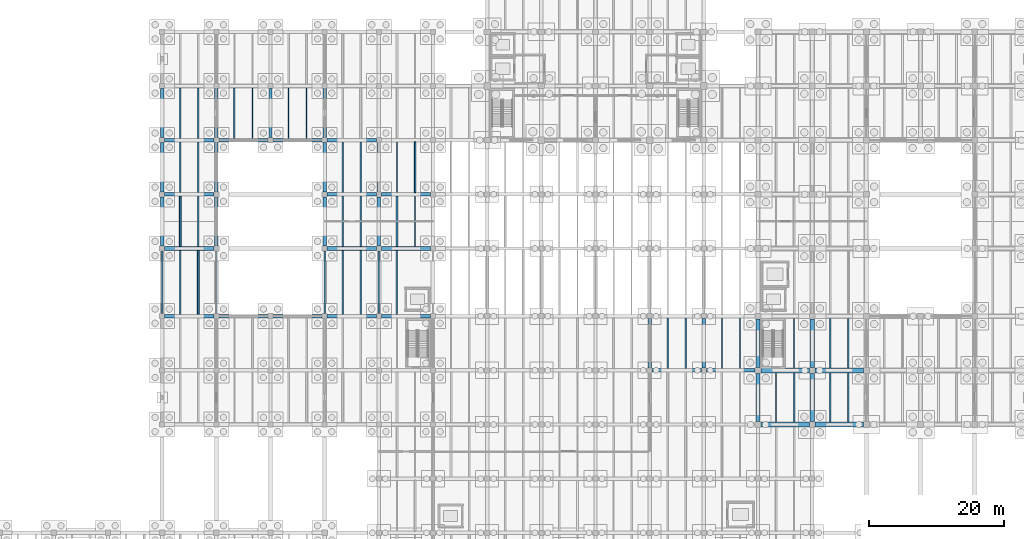
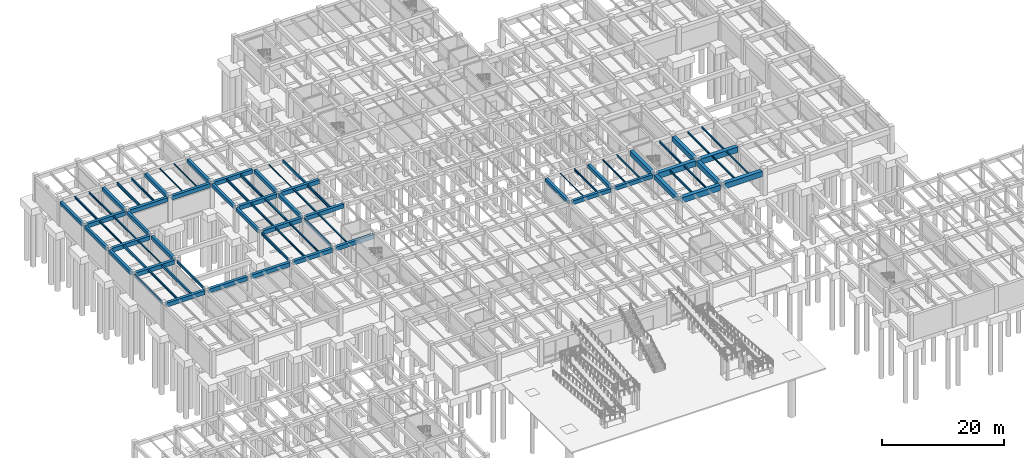
# One storey, part 16 of 44: 77 beams.
"""IFC4 building model written with IfcOpenShell, lengths in metres."""

from ifc_helpers import new_model, si_unit, direction, frame, origin, origin_2d, place, context, subcontext, project, spatial, rectangle, i_section, extrude, material, material_profile, profile_set, type_object, element, save


model = new_model("IFC4")

# Units and contexts
model_context = context("Model", 3, precision=1e-05, world=origin(), true_north=direction((0.0, 1.0)))
body_context = subcontext(model_context, "Body", "Model", "MODEL_VIEW")
ifc_project = project(units=[si_unit("LENGTHUNIT", "METRE"), si_unit("AREAUNIT", "SQUARE_METRE"), si_unit("VOLUMEUNIT", "CUBIC_METRE"), si_unit("PLANEANGLEUNIT", "RADIAN"), si_unit("MASSUNIT", "GRAM", prefix="KILO")], contexts=[model_context])

# Site, building, storey
site_placement = place(None, origin())
site = spatial("IfcSite", under=ifc_project, at=site_placement, CompositionType="ELEMENT")
building_placement = place(site_placement, origin())
building = spatial("IfcBuilding", under=site, at=building_placement, Name="Pecanmere Concourse Central Library", CompositionType="ELEMENT")
storey_placement = place(building_placement, frame((0.0, 0.0, -5.39990234375)))
storey = spatial("IfcBuildingStorey", under=building, at=storey_placement, Name="B1", CompositionType="ELEMENT", Elevation=-5.39990234375)

# Beams
ifc_material_1 = material(Name="Concrete C40/50", Category="concrete")
ifc_material_profile_1 = material_profile(ifc_material_1, rectangle(XDim=0.47998046875, YDim=0.679931640625, at=origin_2d()), Name="RC 480x680")
ifc_profile_set_1 = profile_set([ifc_material_profile_1], Name="Concrete C40/50")
beam_type_1 = type_object("IfcBeamType", Name="GRD_480x680", PredefinedType="USERDEFINED", material=ifc_profile_set_1)
for number, where, z_axis, x_axis, name in (
    (1, (24.0, 74.375, 4.639892578125), (0.0, 1.0, 0.0), (-1.0, 0.0, 0.0), "Primary Girder Y L01-0230"),
    (2, (24.0, 82.375, 4.639892578125), (0.0, 1.0, 0.0), (-1.0, 0.0, 0.0), "Primary Girder Y L01-0231"),
    (3, (24.0, 90.375, 4.639892578125), (0.0, 1.0, 0.0), (-1.0, 0.0, 0.0), "Primary Girder Y L01-0232"),
    (4, (32.0, 74.375, 4.639892578125), (0.0, 1.0, 0.0), (-1.0, 0.0, 0.0), "Primary Girder Y L01-0241"),
    (5, (32.0, 82.375, 4.639892578125), (0.0, 1.0, 0.0), (-1.0, 0.0, 0.0), "Primary Girder Y L01-0242"),
    (6, (32.0, 90.375, 4.639892578125), (0.0, 1.0, 0.0), (-1.0, 0.0, 0.0), "Primary Girder Y L01-0243"),
    (7, (40.0, 90.375, 4.639892578125), (0.0, 1.0, 0.0), (-1.0, 0.0, 0.0), "Primary Girder Y L01-0251"),
    (8, (48.0, 74.375, 4.639892578125), (0.0, 1.0, 0.0), (-1.0, 0.0, 0.0), "Primary Girder Y L01-0260"),
    (9, (48.0, 82.375, 4.639892578125), (0.0, 1.0, 0.0), (-1.0, 0.0, 0.0), "Primary Girder Y L01-0261"),
    (10, (48.0, 90.375, 4.639892578125), (0.0, 1.0, 0.0), (-1.0, 0.0, 0.0), "Primary Girder Y L01-0262"),
    (11, (56.0, 74.375, 4.639892578125), (0.0, 1.0, 0.0), (-1.0, 0.0, 0.0), "Primary Girder Y L01-0270"),
    (12, (56.0, 82.375, 4.639892578125), (0.0, 1.0, 0.0), (-1.0, 0.0, 0.0), "Primary Girder Y L01-0271"),
    (13, (96.0, 56.375, 4.639892578125), (0.0, 1.0, 0.0), (-1.0, 0.0, 0.0), "Primary Girder Y L01-0324"),
    (14, (104.0, 56.375, 4.639892578125), (0.0, 1.0, 0.0), (-1.0, 0.0, 0.0), "Primary Girder Y L01-0336"),
):
    element("IfcBeam", number, at=place(storey_placement, frame(where, z_axis=z_axis, x_axis=x_axis)), inside=storey, type_object=beam_type_1, Name=name, ObjectType="GIRDER", PredefinedType="USERDEFINED", context=body_context, shape_type="SweptSolid", body=[
        extrude(rectangle(XDim=0.47998046875, YDim=0.679931640625, at=origin_2d()), origin(), (0.0, 0.0, 1.0), 7.25),
    ])
ifc_material_2 = material(Name="Concrete C40/50", Category="concrete")
ifc_material_profile_2 = material_profile(ifc_material_2, rectangle(XDim=0.5, YDim=0.739990234375, at=origin_2d()), Name="RC 500x740")
ifc_profile_set_2 = profile_set([ifc_material_profile_2], Name="Concrete C40/50")
beam_type_2 = type_object("IfcBeamType", Name="GRD_500x740", PredefinedType="USERDEFINED", material=ifc_profile_set_2)
beam_1_placement = place(storey_placement, frame((96.375, 56.0, 4.60986328125), z_axis=(1.0, 0.0, 0.0), x_axis=(0.0, 1.0, 0.0)))
element("IfcBeam", 15, at=beam_1_placement, inside=storey, type_object=beam_type_2, Name="Primary Girder X L01-0110", ObjectType="GIRDER", PredefinedType="USERDEFINED", context=body_context, shape_type="SweptSolid", body=[
    extrude(rectangle(XDim=0.5, YDim=0.739990234375, at=origin_2d()), origin(), (0.0, 0.0, 1.0), 7.25),
])
beam_2_placement = place(storey_placement, frame((104.375, 56.0, 4.60986328125), z_axis=(1.0, 0.0, 0.0), x_axis=(0.0, 1.0, 0.0)))
element("IfcBeam", 16, at=beam_2_placement, inside=storey, type_object=beam_type_2, Name="Primary Girder X L01-0111", ObjectType="GIRDER", PredefinedType="USERDEFINED", context=body_context, shape_type="SweptSolid", body=[
    extrude(rectangle(XDim=0.5, YDim=0.739990234375, at=origin_2d()), origin(), (0.0, 0.0, 1.0), 7.195068359375),
])
ifc_material_3 = material(Name="Concrete C40/50", Category="concrete")
ifc_material_profile_3 = material_profile(ifc_material_3, rectangle(XDim=0.5400390625, YDim=0.800048828125, at=origin_2d()), Name="RC 540x800")
ifc_profile_set_3 = profile_set([ifc_material_profile_3], Name="Concrete C40/50")
beam_type_3 = type_object("IfcBeamType", Name="GRD_540x800", PredefinedType="USERDEFINED", material=ifc_profile_set_3)
for number, where, z_axis, x_axis, name in (
    (17, (24.375, 64.0, 4.579833984375), (1.0, 0.0, 0.0), (0.0, 1.0, 0.0), "Primary Girder X L01-0117"),
    (18, (32.375, 64.0, 4.579833984375), (1.0, 0.0, 0.0), (0.0, 1.0, 0.0), "Primary Girder X L01-0118"),
    (19, (40.375, 64.0, 4.579833984375), (1.0, 0.0, 0.0), (0.0, 1.0, 0.0), "Primary Girder X L01-0119"),
    (20, (48.375, 64.0, 4.579833984375), (1.0, 0.0, 0.0), (0.0, 1.0, 0.0), "Primary Girder X L01-0120"),
    (21, (56.375, 64.0, 4.579833984375), (1.0, 0.0, 0.0), (0.0, 1.0, 0.0), "Primary Girder X L01-0121"),
    (22, (24.375, 74.0, 4.579833984375), (1.0, 0.0, 0.0), (0.0, 1.0, 0.0), "Primary Girder X L01-0133"),
    (23, (48.375, 74.0, 4.579833984375), (1.0, 0.0, 0.0), (0.0, 1.0, 0.0), "Primary Girder X L01-0134"),
    (24, (56.375, 74.0, 4.579833984375), (1.0, 0.0, 0.0), (0.0, 1.0, 0.0), "Primary Girder X L01-0135"),
    (25, (24.375, 82.0, 4.579833984375), (1.0, 0.0, 0.0), (0.0, 1.0, 0.0), "Primary Girder X L01-0145"),
    (26, (48.375, 82.0, 4.579833984375), (1.0, 0.0, 0.0), (0.0, 1.0, 0.0), "Primary Girder X L01-0146"),
    (27, (56.375, 82.0, 4.579833984375), (1.0, 0.0, 0.0), (0.0, 1.0, 0.0), "Primary Girder X L01-0147"),
    (28, (24.375, 90.0, 4.579833984375), (1.0, 0.0, 0.0), (0.0, 1.0, 0.0), "Primary Girder X L01-0157"),
    (29, (32.375, 90.0, 4.579833984375), (1.0, 0.0, 0.0), (0.0, 1.0, 0.0), "Primary Girder X L01-0158"),
    (30, (40.375, 90.0, 4.579833984375), (1.0, 0.0, 0.0), (0.0, 1.0, 0.0), "Primary Girder X L01-0159"),
    (31, (48.375, 90.0, 4.579833984375), (1.0, 0.0, 0.0), (0.0, 1.0, 0.0), "Primary Girder X L01-0160"),
):
    element("IfcBeam", number, at=place(storey_placement, frame(where, z_axis=z_axis, x_axis=x_axis)), inside=storey, type_object=beam_type_3, Name=name, ObjectType="GIRDER", PredefinedType="USERDEFINED", context=body_context, shape_type="SweptSolid", body=[
        extrude(rectangle(XDim=0.5400390625, YDim=0.800048828125, at=origin_2d()), origin(), (0.0, 0.0, 1.0), 7.25),
    ])
ifc_material_4 = material(Name="Concrete C40/50", Category="concrete")
ifc_material_profile_4 = material_profile(ifc_material_4, rectangle(XDim=0.639892578125, YDim=0.949951171875, at=origin_2d()), Name="RC 640x950")
ifc_profile_set_4 = profile_set([ifc_material_profile_4], Name="Concrete C40/50")
beam_type_4 = type_object("IfcBeamType", Name="GRD_640x950", PredefinedType="USERDEFINED", material=ifc_profile_set_4)
for number, where, z_axis, x_axis, name in (
    (32, (112.0, 48.429931640625, 4.5048828125), (0.0, 1.0, 0.0), (-1.0, 0.0, 0.0), "Primary Girder Y L01-0347"),
    (33, (112.0, 56.429931640625, 4.5048828125), (0.0, 1.0, 0.0), (-1.0, 0.0, 0.0), "Primary Girder Y L01-0348"),
    (34, (120.0, 48.429931640625, 4.5048828125), (0.0, 1.0, 0.0), (-1.0, 0.0, 0.0), "Primary Girder Y L01-0357"),
    (35, (120.0, 56.429931640625, 4.5048828125), (0.0, 1.0, 0.0), (-1.0, 0.0, 0.0), "Primary Girder Y L01-0358"),
):
    element("IfcBeam", number, at=place(storey_placement, frame(where, z_axis=z_axis, x_axis=x_axis)), inside=storey, type_object=beam_type_4, Name=name, ObjectType="GIRDER", PredefinedType="USERDEFINED", context=body_context, shape_type="SweptSolid", body=[
        extrude(rectangle(XDim=0.639892578125, YDim=0.949951171875, at=origin_2d()), origin(), (0.0, 0.0, 1.0), 7.14013671875),
    ])
ifc_material_5 = material(Name="Concrete C40/50", Category="concrete")
ifc_material_profile_5 = material_profile(ifc_material_5, rectangle(XDim=0.719970703125, YDim=1.080078125, at=origin_2d()), Name="RC 720x1080")
ifc_profile_set_5 = profile_set([ifc_material_profile_5], Name="Concrete C40/50")
beam_type_5 = type_object("IfcBeamType", Name="GRD_720x1080", PredefinedType="USERDEFINED", material=ifc_profile_set_5)
for number, where, z_axis, x_axis, name in (
    (36, (112.429931640625, 48.0, 4.43994140625), (1.0, 0.0, 0.0), (0.0, 1.0, 0.0), "Primary Girder X L01-0096"),
    (37, (120.429931640625, 48.0, 4.43994140625), (1.0, 0.0, 0.0), (0.0, 1.0, 0.0), "Primary Girder X L01-0097"),
    (38, (112.429931640625, 56.0, 4.43994140625), (1.0, 0.0, 0.0), (0.0, 1.0, 0.0), "Primary Girder X L01-0112"),
    (39, (120.429931640625, 56.0, 4.43994140625), (1.0, 0.0, 0.0), (0.0, 1.0, 0.0), "Primary Girder X L01-0113"),
):
    element("IfcBeam", number, at=place(storey_placement, frame(where, z_axis=z_axis, x_axis=x_axis)), inside=storey, type_object=beam_type_5, Name=name, ObjectType="GIRDER", PredefinedType="USERDEFINED", context=body_context, shape_type="SweptSolid", body=[
        extrude(rectangle(XDim=0.719970703125, YDim=1.080078125, at=origin_2d()), origin(), (0.0, 0.0, 1.0), 7.14013671875),
    ])
ifc_material_6 = material(Name="Concrete C40/50", Category="concrete")
ifc_material_profile_6 = material_profile(ifc_material_6, rectangle(XDim=0.25, YDim=0.449951171875, at=origin_2d()), Name="RC 250x450")
ifc_profile_set_6 = profile_set([ifc_material_profile_6], Name="Concrete C40/50")
beam_type_6 = type_object("IfcBeamType", Name="JST_RC_250x450", PredefinedType="JOIST", material=ifc_profile_set_6)
beam_3_placement = place(storey_placement, frame((61.333251953125, 82.27001953125, 4.7548828125), z_axis=(0.0, 1.0, 0.0), x_axis=(-1.0, 0.0, 0.0)))
element("IfcBeam", 40, at=beam_3_placement, inside=storey, type_object=beam_type_6, Name="Secondary Floor Joist L01-0521", PredefinedType="JOIST", context=body_context, shape_type="SweptSolid", body=[
    extrude(rectangle(XDim=0.25, YDim=0.449951171875, at=origin_2d()), origin(), (0.0, 0.0, 1.0), 7.4599609375),
])
ifc_material_7 = material(Name="Concrete C40/50", Category="concrete")
ifc_material_profile_7 = material_profile(ifc_material_7, rectangle(XDim=0.260009765625, YDim=0.469970703125, at=origin_2d()), Name="RC 260x470")
ifc_profile_set_7 = profile_set([ifc_material_profile_7], Name="Concrete C40/50")
beam_type_7 = type_object("IfcBeamType", Name="JST_RC_260x470", PredefinedType="JOIST", material=ifc_profile_set_7)
beam_4_placement = place(storey_placement, frame((29.333251953125, 64.27001953125, 4.744873046875), z_axis=(0.0, 1.0, 0.0), x_axis=(-1.0, 0.0, 0.0)))
element("IfcBeam", 41, at=beam_4_placement, inside=storey, type_object=beam_type_7, Name="Secondary Floor Joist L01-0454", PredefinedType="JOIST", context=body_context, shape_type="SweptSolid", body=[
    extrude(rectangle(XDim=0.260009765625, YDim=0.469970703125, at=origin_2d()), origin(), (0.0, 0.0, 1.0), 9.4599609375),
])
beam_5_placement = place(storey_placement, frame((26.666748046875, 74.27001953125, 4.744873046875), z_axis=(0.0, 1.0, 0.0), x_axis=(-1.0, 0.0, 0.0)))
element("IfcBeam", 42, at=beam_5_placement, inside=storey, type_object=beam_type_7, Name="Secondary Floor Joist L01-0455", PredefinedType="JOIST", context=body_context, shape_type="SweptSolid", body=[
    extrude(rectangle(XDim=0.260009765625, YDim=0.469970703125, at=origin_2d()), origin(), (0.0, 0.0, 1.0), 7.4599609375),
])
ifc_material_8 = material(Name="Structural steel ASTM A992 Grade 50", Category="steel")
ifc_material_profile_8 = material_profile(ifc_material_8, i_section(OverallWidth=0.152099609375, OverallDepth=0.152099609375, WebThickness=0.005859375, FlangeThickness=0.006591796875, at=origin_2d()), Name="W150x22.5")
ifc_profile_set_8 = profile_set([ifc_material_profile_8], Name="Structural steel ASTM A992 Grade 50")
beam_type_8 = type_object("IfcBeamType", Name="SBM_W150x22", PredefinedType="LINTEL", material=ifc_profile_set_8)
for number, where, z_axis, x_axis, name in (
    (43, (45.333251953125, 90.27001953125, 4.90380859375), (0.0, 1.0, 0.0), (-1.0, 0.0, 0.0), "Secondary Floor Joist L01-0491"),
    (44, (58.666748046875, 82.27001953125, 4.90380859375), (0.0, 1.0, 0.0), (-1.0, 0.0, 0.0), "Secondary Floor Joist L01-0520"),
):
    element("IfcBeam", number, at=place(storey_placement, frame(where, z_axis=z_axis, x_axis=x_axis)), inside=storey, type_object=beam_type_8, Name=name, PredefinedType="LINTEL", context=body_context, shape_type="SweptSolid", body=[
        extrude(i_section(OverallWidth=0.152099609375, OverallDepth=0.152099609375, WebThickness=0.005859375, FlangeThickness=0.006591796875, at=origin_2d()), origin(), (0.0, 0.0, 1.0), 7.4599609375),
    ])
beam_6_placement = place(storey_placement, frame((98.666748046875, 56.25, 4.90380859375), z_axis=(0.0, 1.0, 0.0), x_axis=(-1.0, 0.0, 0.0)))
element("IfcBeam", 45, at=beam_6_placement, inside=storey, type_object=beam_type_8, Name="Secondary Floor Joist L01-0620", PredefinedType="LINTEL", context=body_context, shape_type="SweptSolid", body=[
    extrude(i_section(OverallWidth=0.152099609375, OverallDepth=0.152099609375, WebThickness=0.005859375, FlangeThickness=0.006591796875, at=origin_2d()), origin(), (0.0, 0.0, 1.0), 7.5),
])
ifc_material_9 = material(Name="Structural steel ASTM A992 Grade 50", Category="steel")
ifc_material_profile_9 = material_profile(ifc_material_9, i_section(OverallWidth=0.1650390625, OverallDepth=0.200927734375, WebThickness=0.006103515625, FlangeThickness=0.01025390625, at=origin_2d()), Name="W200x35.9")
ifc_profile_set_9 = profile_set([ifc_material_profile_9], Name="Structural steel ASTM A992 Grade 50")
beam_type_9 = type_object("IfcBeamType", Name="SBM_W200x36", PredefinedType="LINTEL", material=ifc_profile_set_9)
for number, where, z_axis, x_axis, name in (
    (46, (29.333251953125, 74.27001953125, 4.87939453125), (0.0, 1.0, 0.0), (-1.0, 0.0, 0.0), "Secondary Floor Joist L01-0456"),
    (47, (42.666748046875, 90.27001953125, 4.87939453125), (0.0, 1.0, 0.0), (-1.0, 0.0, 0.0), "Secondary Floor Joist L01-0490"),
):
    element("IfcBeam", number, at=place(storey_placement, frame(where, z_axis=z_axis, x_axis=x_axis)), inside=storey, type_object=beam_type_9, Name=name, PredefinedType="LINTEL", context=body_context, shape_type="SweptSolid", body=[
        extrude(i_section(OverallWidth=0.1650390625, OverallDepth=0.200927734375, WebThickness=0.006103515625, FlangeThickness=0.01025390625, at=origin_2d()), origin(), (0.0, 0.0, 1.0), 7.4599609375),
    ])
ifc_material_10 = material(Name="Structural steel ASTM A992 Grade 50", Category="steel")
ifc_material_profile_10 = material_profile(ifc_material_10, i_section(OverallWidth=0.2041015625, OverallDepth=0.2060546875, WebThickness=0.0078125, FlangeThickness=0.0126953125, at=origin_2d()), Name="W200x52")
ifc_profile_set_10 = profile_set([ifc_material_profile_10], Name="Structural steel ASTM A992 Grade 50")
beam_type_10 = type_object("IfcBeamType", Name="SBM_W200x52", PredefinedType="JOIST", material=ifc_profile_set_10)
beam_7_placement = place(storey_placement, frame((58.666748046875, 64.27001953125, 4.876953125), z_axis=(0.0, 1.0, 0.0), x_axis=(-1.0, 0.0, 0.0)))
element("IfcBeam", 48, at=beam_7_placement, inside=storey, type_object=beam_type_10, Name="Secondary Floor Joist L01-0517", PredefinedType="JOIST", context=body_context, shape_type="SweptSolid", body=[
    extrude(i_section(OverallWidth=0.2041015625, OverallDepth=0.2060546875, WebThickness=0.0078125, FlangeThickness=0.0126953125, at=origin_2d()), origin(), (0.0, 0.0, 1.0), 9.4599609375),
])
beam_8_placement = place(storey_placement, frame((125.333251953125, 48.360107421875, 4.876953125), z_axis=(0.0, 1.0, 0.0), x_axis=(-1.0, 0.0, 0.0)))
element("IfcBeam", 49, at=beam_8_placement, inside=storey, type_object=beam_type_10, Name="Secondary Floor Joist L01-0669", PredefinedType="JOIST", context=body_context, shape_type="SweptSolid", body=[
    extrude(i_section(OverallWidth=0.2041015625, OverallDepth=0.2060546875, WebThickness=0.0078125, FlangeThickness=0.0126953125, at=origin_2d()), origin(), (0.0, 0.0, 1.0), 7.27978515625),
])
ifc_material_11 = material(Name="Structural steel ASTM A992 Grade 50", Category="steel")
ifc_material_profile_11 = material_profile(ifc_material_11, i_section(OverallWidth=0.201904296875, OverallDepth=0.2470703125, WebThickness=0.00732421875, FlangeThickness=0.010986328125, at=origin_2d()), Name="W250x49.1")
ifc_profile_set_11 = profile_set([ifc_material_profile_11], Name="Structural steel ASTM A992 Grade 50")
beam_type_11 = type_object("IfcBeamType", Name="SBM_W250x49", PredefinedType="JOIST", material=ifc_profile_set_11)
beam_9_placement = place(storey_placement, frame((29.333251953125, 82.27001953125, 4.8564453125), z_axis=(0.0, 1.0, 0.0), x_axis=(-1.0, 0.0, 0.0)))
element("IfcBeam", 50, at=beam_9_placement, inside=storey, type_object=beam_type_11, Name="Secondary Floor Joist L01-0458", PredefinedType="JOIST", context=body_context, shape_type="SweptSolid", body=[
    extrude(i_section(OverallWidth=0.201904296875, OverallDepth=0.2470703125, WebThickness=0.00732421875, FlangeThickness=0.010986328125, at=origin_2d()), origin(), (0.0, 0.0, 1.0), 7.4599609375),
])
beam_10_placement = place(storey_placement, frame((109.333251953125, 56.25, 4.8564453125), z_axis=(0.0, 1.0, 0.0), x_axis=(-1.0, 0.0, 0.0)))
element("IfcBeam", 51, at=beam_10_placement, inside=storey, type_object=beam_type_11, Name="Secondary Floor Joist L01-0641", PredefinedType="JOIST", context=body_context, shape_type="SweptSolid", body=[
    extrude(i_section(OverallWidth=0.201904296875, OverallDepth=0.2470703125, WebThickness=0.00732421875, FlangeThickness=0.010986328125, at=origin_2d()), origin(), (0.0, 0.0, 1.0), 7.5),
])
beam_11_placement = place(storey_placement, frame((122.666748046875, 48.360107421875, 4.8564453125), z_axis=(0.0, 1.0, 0.0), x_axis=(-1.0, 0.0, 0.0)))
element("IfcBeam", 52, at=beam_11_placement, inside=storey, type_object=beam_type_11, Name="Secondary Floor Joist L01-0668", PredefinedType="JOIST", context=body_context, shape_type="SweptSolid", body=[
    extrude(i_section(OverallWidth=0.201904296875, OverallDepth=0.2470703125, WebThickness=0.00732421875, FlangeThickness=0.010986328125, at=origin_2d()), origin(), (0.0, 0.0, 1.0), 7.27978515625),
])
ifc_material_12 = material(Name="Structural steel ASTM A992 Grade 50", Category="steel")
ifc_material_profile_12 = material_profile(ifc_material_12, i_section(OverallWidth=0.25390625, OverallDepth=0.2529296875, WebThickness=0.008544921875, FlangeThickness=0.01416015625, at=origin_2d()), Name="W250x73")
ifc_profile_set_12 = profile_set([ifc_material_profile_12], Name="Structural steel ASTM A992 Grade 50")
beam_type_12 = type_object("IfcBeamType", Name="SBM_W250x73", PredefinedType="BEAM", material=ifc_profile_set_12)
beam_12_placement = place(storey_placement, frame((58.666748046875, 74.27001953125, 4.853515625), z_axis=(0.0, 1.0, 0.0), x_axis=(-1.0, 0.0, 0.0)))
element("IfcBeam", 53, at=beam_12_placement, inside=storey, type_object=beam_type_12, Name="Secondary Floor Joist L01-0518", PredefinedType="BEAM", context=body_context, shape_type="SweptSolid", body=[
    extrude(i_section(OverallWidth=0.25390625, OverallDepth=0.2529296875, WebThickness=0.008544921875, FlangeThickness=0.01416015625, at=origin_2d()), origin(), (0.0, 0.0, 1.0), 7.4599609375),
])
beam_13_placement = place(storey_placement, frame((125.333251953125, 56.360107421875, 4.853515625), z_axis=(0.0, 1.0, 0.0), x_axis=(-1.0, 0.0, 0.0)))
element("IfcBeam", 54, at=beam_13_placement, inside=storey, type_object=beam_type_12, Name="Secondary Floor Joist L01-0671", PredefinedType="BEAM", context=body_context, shape_type="SweptSolid", body=[
    extrude(i_section(OverallWidth=0.25390625, OverallDepth=0.2529296875, WebThickness=0.008544921875, FlangeThickness=0.01416015625, at=origin_2d()), origin(), (0.0, 0.0, 1.0), 7.27978515625),
])
ifc_material_13 = material(Name="Structural steel ASTM A992 Grade 50", Category="steel")
ifc_material_profile_13 = material_profile(ifc_material_13, i_section(OverallWidth=0.1669921875, OverallDepth=0.31689453125, WebThickness=0.007568359375, FlangeThickness=0.01318359375, at=origin_2d()), Name="W310x52")
ifc_profile_set_13 = profile_set([ifc_material_profile_13], Name="Structural steel ASTM A992 Grade 50")
beam_type_13 = type_object("IfcBeamType", Name="SBM_W310x52", PredefinedType="JOIST", material=ifc_profile_set_13)
beam_14_placement = place(storey_placement, frame((26.666748046875, 82.27001953125, 4.8212890625), z_axis=(0.0, 1.0, 0.0), x_axis=(-1.0, 0.0, 0.0)))
element("IfcBeam", 55, at=beam_14_placement, inside=storey, type_object=beam_type_13, Name="Secondary Floor Joist L01-0457", PredefinedType="JOIST", context=body_context, shape_type="SweptSolid", body=[
    extrude(i_section(OverallWidth=0.1669921875, OverallDepth=0.31689453125, WebThickness=0.007568359375, FlangeThickness=0.01318359375, at=origin_2d()), origin(), (0.0, 0.0, 1.0), 7.4599609375),
])
beam_15_placement = place(storey_placement, frame((53.333251953125, 64.27001953125, 4.8212890625), z_axis=(0.0, 1.0, 0.0), x_axis=(-1.0, 0.0, 0.0)))
element("IfcBeam", 56, at=beam_15_placement, inside=storey, type_object=beam_type_13, Name="Secondary Floor Joist L01-0499", PredefinedType="JOIST", context=body_context, shape_type="SweptSolid", body=[
    extrude(i_section(OverallWidth=0.1669921875, OverallDepth=0.31689453125, WebThickness=0.007568359375, FlangeThickness=0.01318359375, at=origin_2d()), origin(), (0.0, 0.0, 1.0), 9.4599609375),
])
beam_16_placement = place(storey_placement, frame((106.666748046875, 56.25, 4.8212890625), z_axis=(0.0, 1.0, 0.0), x_axis=(-1.0, 0.0, 0.0)))
element("IfcBeam", 57, at=beam_16_placement, inside=storey, type_object=beam_type_13, Name="Secondary Floor Joist L01-0640", PredefinedType="JOIST", context=body_context, shape_type="SweptSolid", body=[
    extrude(i_section(OverallWidth=0.1669921875, OverallDepth=0.31689453125, WebThickness=0.007568359375, FlangeThickness=0.01318359375, at=origin_2d()), origin(), (0.0, 0.0, 1.0), 7.5),
])
ifc_material_14 = material(Name="Structural steel ASTM A992 Grade 50", Category="steel")
ifc_material_profile_14 = material_profile(ifc_material_14, i_section(OverallWidth=0.205078125, OverallDepth=0.31005859375, WebThickness=0.009521484375, FlangeThickness=0.016357421875, at=origin_2d()), Name="W310x74")
ifc_profile_set_14 = profile_set([ifc_material_profile_14], Name="Structural steel ASTM A992 Grade 50")
beam_type_14 = type_object("IfcBeamType", Name="SBM_W310x74", PredefinedType="BEAM", material=ifc_profile_set_14)
beam_17_placement = place(storey_placement, frame((29.333251953125, 90.27001953125, 4.824951171875), z_axis=(0.0, 1.0, 0.0), x_axis=(-1.0, 0.0, 0.0)))
element("IfcBeam", 58, at=beam_17_placement, inside=storey, type_object=beam_type_14, Name="Secondary Floor Joist L01-0460", PredefinedType="BEAM", context=body_context, shape_type="SweptSolid", body=[
    extrude(i_section(OverallWidth=0.205078125, OverallDepth=0.31005859375, WebThickness=0.009521484375, FlangeThickness=0.016357421875, at=origin_2d()), origin(), (0.0, 0.0, 1.0), 7.4599609375),
])
beam_18_placement = place(storey_placement, frame((122.666748046875, 56.360107421875, 4.824951171875), z_axis=(0.0, 1.0, 0.0), x_axis=(-1.0, 0.0, 0.0)))
element("IfcBeam", 59, at=beam_18_placement, inside=storey, type_object=beam_type_14, Name="Secondary Floor Joist L01-0670", PredefinedType="BEAM", context=body_context, shape_type="SweptSolid", body=[
    extrude(i_section(OverallWidth=0.205078125, OverallDepth=0.31005859375, WebThickness=0.009521484375, FlangeThickness=0.016357421875, at=origin_2d()), origin(), (0.0, 0.0, 1.0), 7.27978515625),
])
ifc_material_15 = material(Name="Structural steel ASTM A992 Grade 50", Category="steel")
ifc_material_profile_15 = material_profile(ifc_material_15, i_section(OverallWidth=0.202880859375, OverallDepth=0.346923828125, WebThickness=0.0078125, FlangeThickness=0.013427734375, at=origin_2d()), Name="W360x64")
ifc_profile_set_15 = profile_set([ifc_material_profile_15], Name="Structural steel ASTM A992 Grade 50")
beam_type_15 = type_object("IfcBeamType", Name="SBM_W360x64", PredefinedType="JOIST", material=ifc_profile_set_15)
beam_19_placement = place(storey_placement, frame((50.666748046875, 64.27001953125, 4.806396484375), z_axis=(0.0, 1.0, 0.0), x_axis=(-1.0, 0.0, 0.0)))
element("IfcBeam", 60, at=beam_19_placement, inside=storey, type_object=beam_type_15, Name="Secondary Floor Joist L01-0498", PredefinedType="JOIST", context=body_context, shape_type="SweptSolid", body=[
    extrude(i_section(OverallWidth=0.202880859375, OverallDepth=0.346923828125, WebThickness=0.0078125, FlangeThickness=0.013427734375, at=origin_2d()), origin(), (0.0, 0.0, 1.0), 9.4599609375),
])
beam_20_placement = place(storey_placement, frame((117.333251953125, 48.360107421875, 4.806396484375), z_axis=(0.0, 1.0, 0.0), x_axis=(-1.0, 0.0, 0.0)))
element("IfcBeam", 61, at=beam_20_placement, inside=storey, type_object=beam_type_15, Name="Secondary Floor Joist L01-0657", PredefinedType="JOIST", context=body_context, shape_type="SweptSolid", body=[
    extrude(i_section(OverallWidth=0.202880859375, OverallDepth=0.346923828125, WebThickness=0.0078125, FlangeThickness=0.013427734375, at=origin_2d()), origin(), (0.0, 0.0, 1.0), 7.27978515625),
])
ifc_material_16 = material(Name="Structural steel ASTM A992 Grade 50", Category="steel")
ifc_material_profile_16 = material_profile(ifc_material_16, i_section(OverallWidth=0.25390625, OverallDepth=0.35302734375, WebThickness=0.009521484375, FlangeThickness=0.016357421875, at=origin_2d()), Name="W360x91")
ifc_profile_set_16 = profile_set([ifc_material_profile_16], Name="Structural steel ASTM A992 Grade 50")
beam_type_16 = type_object("IfcBeamType", Name="SBM_W360x91", PredefinedType="BEAM", material=ifc_profile_set_16)
beam_21_placement = place(storey_placement, frame((26.666748046875, 64.27001953125, 4.803466796875), z_axis=(0.0, 1.0, 0.0), x_axis=(-1.0, 0.0, 0.0)))
element("IfcBeam", 62, at=beam_21_placement, inside=storey, type_object=beam_type_16, Name="Secondary Floor Joist L01-0453", PredefinedType="BEAM", context=body_context, shape_type="SweptSolid", body=[
    extrude(i_section(OverallWidth=0.25390625, OverallDepth=0.35302734375, WebThickness=0.009521484375, FlangeThickness=0.016357421875, at=origin_2d()), origin(), (0.0, 0.0, 1.0), 9.4599609375),
])
for number, where, z_axis, x_axis, name in (
    (63, (26.666748046875, 90.27001953125, 4.803466796875), (0.0, 1.0, 0.0), (-1.0, 0.0, 0.0), "Secondary Floor Joist L01-0459"),
    (64, (53.333251953125, 74.27001953125, 4.803466796875), (0.0, 1.0, 0.0), (-1.0, 0.0, 0.0), "Secondary Floor Joist L01-0501"),
):
    element("IfcBeam", number, at=place(storey_placement, frame(where, z_axis=z_axis, x_axis=x_axis)), inside=storey, type_object=beam_type_16, Name=name, PredefinedType="BEAM", context=body_context, shape_type="SweptSolid", body=[
        extrude(i_section(OverallWidth=0.25390625, OverallDepth=0.35302734375, WebThickness=0.009521484375, FlangeThickness=0.016357421875, at=origin_2d()), origin(), (0.0, 0.0, 1.0), 7.4599609375),
    ])
ifc_material_17 = material(Name="Structural steel ASTM A992 Grade 50", Category="steel")
ifc_material_profile_17 = material_profile(ifc_material_17, i_section(OverallWidth=0.177978515625, OverallDepth=0.406982421875, WebThickness=0.0078125, FlangeThickness=0.0126953125, at=origin_2d()), Name="W410x60")
ifc_profile_set_17 = profile_set([ifc_material_profile_17], Name="Structural steel ASTM A992 Grade 50")
beam_type_17 = type_object("IfcBeamType", Name="SBM_W410x60", PredefinedType="JOIST", material=ifc_profile_set_17)
beam_22_placement = place(storey_placement, frame((101.333251953125, 56.25, 4.7763671875), z_axis=(0.0, 1.0, 0.0), x_axis=(-1.0, 0.0, 0.0)))
element("IfcBeam", 65, at=beam_22_placement, inside=storey, type_object=beam_type_17, Name="Secondary Floor Joist L01-0621", PredefinedType="JOIST", context=body_context, shape_type="SweptSolid", body=[
    extrude(i_section(OverallWidth=0.177978515625, OverallDepth=0.406982421875, WebThickness=0.0078125, FlangeThickness=0.0126953125, at=origin_2d()), origin(), (0.0, 0.0, 1.0), 7.5),
])
beam_23_placement = place(storey_placement, frame((114.666748046875, 48.360107421875, 4.7763671875), z_axis=(0.0, 1.0, 0.0), x_axis=(-1.0, 0.0, 0.0)))
element("IfcBeam", 66, at=beam_23_placement, inside=storey, type_object=beam_type_17, Name="Secondary Floor Joist L01-0656", PredefinedType="JOIST", context=body_context, shape_type="SweptSolid", body=[
    extrude(i_section(OverallWidth=0.177978515625, OverallDepth=0.406982421875, WebThickness=0.0078125, FlangeThickness=0.0126953125, at=origin_2d()), origin(), (0.0, 0.0, 1.0), 7.27978515625),
])
ifc_material_18 = material(Name="Structural steel ASTM A992 Grade 50", Category="steel")
ifc_material_profile_18 = material_profile(ifc_material_18, i_section(OverallWidth=0.180908203125, OverallDepth=0.4169921875, WebThickness=0.010986328125, FlangeThickness=0.018310546875, at=origin_2d()), Name="W410x85")
ifc_profile_set_18 = profile_set([ifc_material_profile_18], Name="Structural steel ASTM A992 Grade 50")
beam_type_18 = type_object("IfcBeamType", Name="SBM_W410x85", PredefinedType="BEAM", material=ifc_profile_set_18)
beam_24_placement = place(storey_placement, frame((50.666748046875, 74.27001953125, 4.771484375), z_axis=(0.0, 1.0, 0.0), x_axis=(-1.0, 0.0, 0.0)))
element("IfcBeam", 67, at=beam_24_placement, inside=storey, type_object=beam_type_18, Name="Secondary Floor Joist L01-0500", PredefinedType="BEAM", context=body_context, shape_type="SweptSolid", body=[
    extrude(i_section(OverallWidth=0.180908203125, OverallDepth=0.4169921875, WebThickness=0.010986328125, FlangeThickness=0.018310546875, at=origin_2d()), origin(), (0.0, 0.0, 1.0), 7.4599609375),
])
beam_25_placement = place(storey_placement, frame((117.333251953125, 56.360107421875, 4.771484375), z_axis=(0.0, 1.0, 0.0), x_axis=(-1.0, 0.0, 0.0)))
element("IfcBeam", 68, at=beam_25_placement, inside=storey, type_object=beam_type_18, Name="Secondary Floor Joist L01-0658", PredefinedType="BEAM", context=body_context, shape_type="SweptSolid", body=[
    extrude(i_section(OverallWidth=0.180908203125, OverallDepth=0.4169921875, WebThickness=0.010986328125, FlangeThickness=0.018310546875, at=origin_2d()), origin(), (0.0, 0.0, 1.0), 7.27978515625),
])
ifc_material_19 = material(Name="Structural steel ASTM A992 Grade 50", Category="steel")
ifc_material_profile_19 = material_profile(ifc_material_19, i_section(OverallWidth=0.194091796875, OverallDepth=0.468994140625, WebThickness=0.0126953125, FlangeThickness=0.0205078125, at=origin_2d()), Name="W460x106")
ifc_profile_set_19 = profile_set([ifc_material_profile_19], Name="Structural steel ASTM A992 Grade 50")
beam_type_19 = type_object("IfcBeamType", Name="SBM_W460x106", PredefinedType="USERDEFINED", material=ifc_profile_set_19)
for number, where, z_axis, x_axis, name in (
    (69, (37.333251953125, 90.27001953125, 4.745361328125), (0.0, 1.0, 0.0), (-1.0, 0.0, 0.0), "Secondary Floor Joist L01-0476"),
    (70, (50.666748046875, 82.27001953125, 4.745361328125), (0.0, 1.0, 0.0), (-1.0, 0.0, 0.0), "Secondary Floor Joist L01-0502"),
):
    element("IfcBeam", number, at=place(storey_placement, frame(where, z_axis=z_axis, x_axis=x_axis)), inside=storey, type_object=beam_type_19, Name=name, ObjectType="GIRDER", PredefinedType="USERDEFINED", context=body_context, shape_type="SweptSolid", body=[
        extrude(i_section(OverallWidth=0.194091796875, OverallDepth=0.468994140625, WebThickness=0.0126953125, FlangeThickness=0.0205078125, at=origin_2d()), origin(), (0.0, 0.0, 1.0), 7.4599609375),
    ])
ifc_material_20 = material(Name="Structural steel ASTM A992 Grade 50", Category="steel")
ifc_material_profile_20 = material_profile(ifc_material_20, i_section(OverallWidth=0.2109375, OverallDepth=0.5390625, WebThickness=0.01171875, FlangeThickness=0.018798828125, at=origin_2d()), Name="W530x109")
ifc_profile_set_20 = profile_set([ifc_material_profile_20], Name="Structural steel ASTM A992 Grade 50")
beam_type_20 = type_object("IfcBeamType", Name="SBM_W530x109", PredefinedType="USERDEFINED", material=ifc_profile_set_20)
for number, where, z_axis, x_axis, name in (
    (71, (24.0, 64.375, 4.71044921875), (0.0, 1.0, 0.0), (-1.0, 0.0, 0.0), "Primary Girder Y L01-0229"),
    (72, (32.0, 64.375, 4.71044921875), (0.0, 1.0, 0.0), (-1.0, 0.0, 0.0), "Primary Girder Y L01-0240"),
    (73, (48.0, 64.375, 4.71044921875), (0.0, 1.0, 0.0), (-1.0, 0.0, 0.0), "Primary Girder Y L01-0259"),
    (74, (56.0, 64.375, 4.71044921875), (0.0, 1.0, 0.0), (-1.0, 0.0, 0.0), "Primary Girder Y L01-0269"),
):
    element("IfcBeam", number, at=place(storey_placement, frame(where, z_axis=z_axis, x_axis=x_axis)), inside=storey, type_object=beam_type_20, Name=name, ObjectType="GIRDER", PredefinedType="USERDEFINED", context=body_context, shape_type="SweptSolid", body=[
        extrude(i_section(OverallWidth=0.2109375, OverallDepth=0.5390625, WebThickness=0.01171875, FlangeThickness=0.018798828125, at=origin_2d()), origin(), (0.0, 0.0, 1.0), 9.25),
    ])
beam_26_placement = place(storey_placement, frame((53.333251953125, 82.27001953125, 4.71044921875), z_axis=(0.0, 1.0, 0.0), x_axis=(-1.0, 0.0, 0.0)))
element("IfcBeam", 75, at=beam_26_placement, inside=storey, type_object=beam_type_20, Name="Secondary Floor Joist L01-0503", ObjectType="GIRDER", PredefinedType="USERDEFINED", context=body_context, shape_type="SweptSolid", body=[
    extrude(i_section(OverallWidth=0.2109375, OverallDepth=0.5390625, WebThickness=0.01171875, FlangeThickness=0.018798828125, at=origin_2d()), origin(), (0.0, 0.0, 1.0), 7.4599609375),
])
ifc_material_21 = material(Name="Structural steel ASTM A992 Grade 50", Category="steel")
ifc_material_profile_21 = material_profile(ifc_material_21, i_section(OverallWidth=0.208984375, OverallDepth=0.532958984375, WebThickness=0.01025390625, FlangeThickness=0.015625, at=origin_2d()), Name="W530x92")
ifc_profile_set_21 = profile_set([ifc_material_profile_21], Name="Structural steel ASTM A992 Grade 50")
beam_type_21 = type_object("IfcBeamType", Name="SBM_W530x92", PredefinedType="BEAM", material=ifc_profile_set_21)
for number, where, z_axis, x_axis, name in (
    (76, (34.666748046875, 90.27001953125, 4.71337890625), (0.0, 1.0, 0.0), (-1.0, 0.0, 0.0), "Secondary Floor Joist L01-0475"),
    (77, (61.333251953125, 74.27001953125, 4.71337890625), (0.0, 1.0, 0.0), (-1.0, 0.0, 0.0), "Secondary Floor Joist L01-0519"),
):
    element("IfcBeam", number, at=place(storey_placement, frame(where, z_axis=z_axis, x_axis=x_axis)), inside=storey, type_object=beam_type_21, Name=name, PredefinedType="BEAM", context=body_context, shape_type="SweptSolid", body=[
        extrude(i_section(OverallWidth=0.208984375, OverallDepth=0.532958984375, WebThickness=0.01025390625, FlangeThickness=0.015625, at=origin_2d()), origin(), (0.0, 0.0, 1.0), 7.4599609375),
    ])

save(model, "model.ifc")
